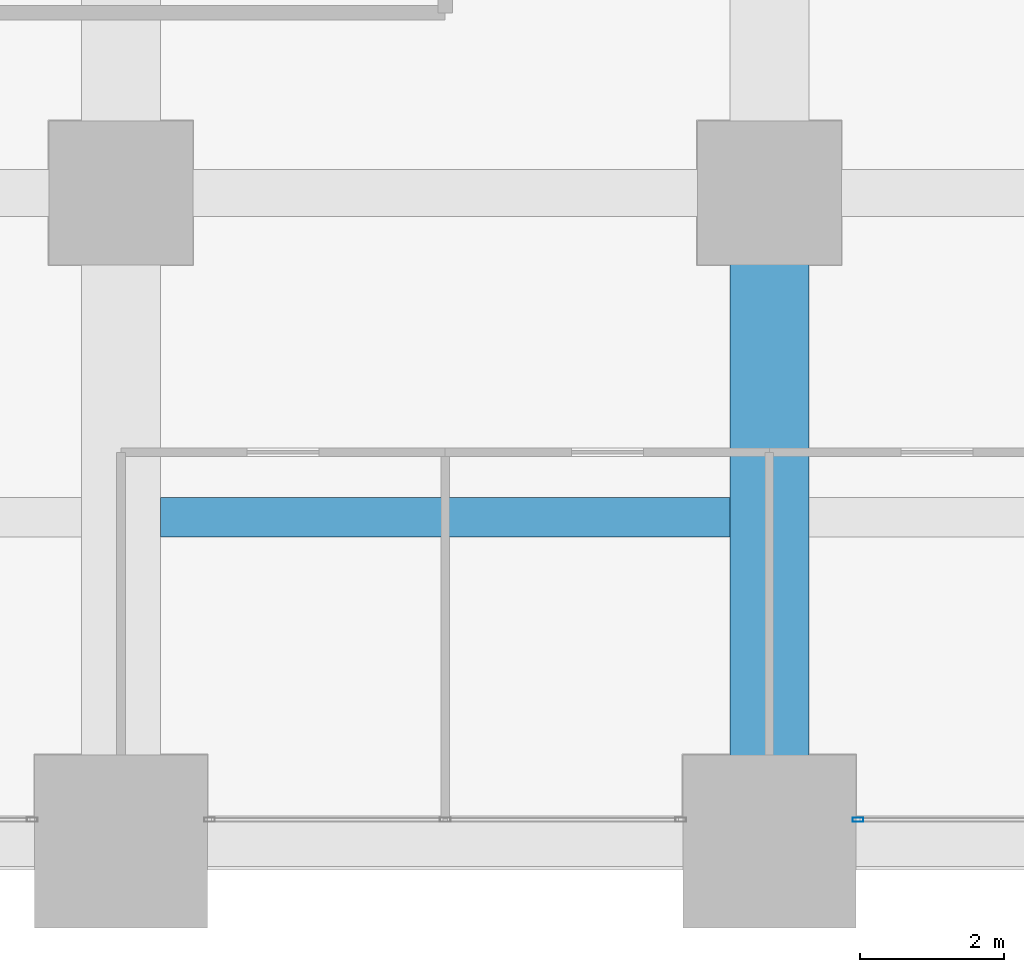
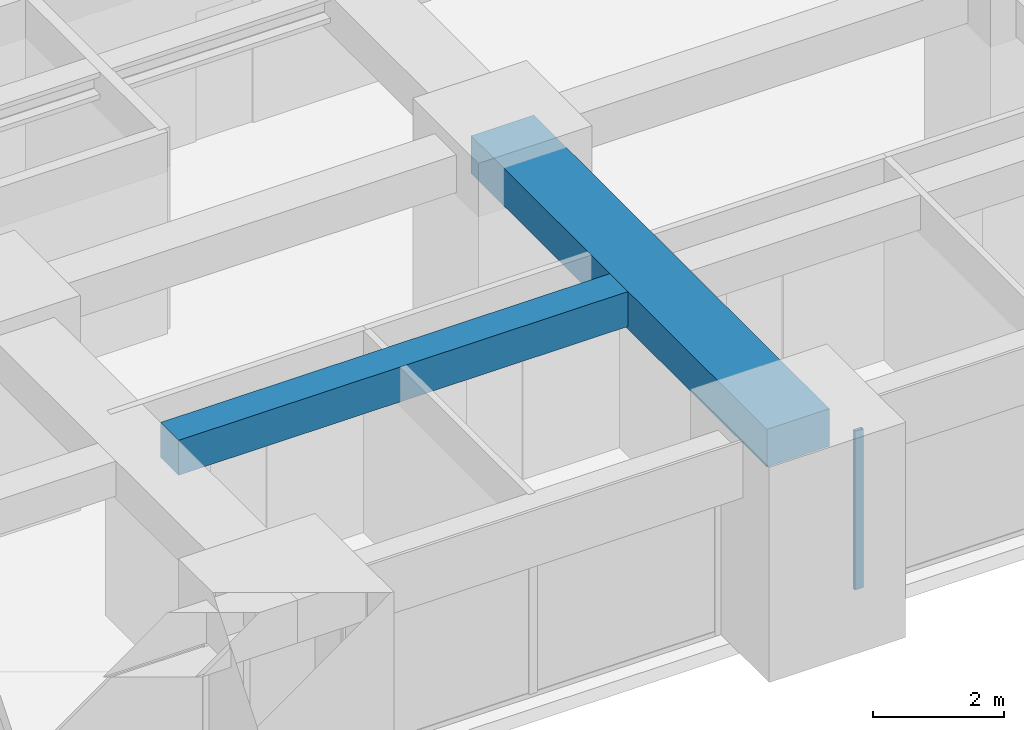
# One storey, part 14 of 41: 2 beams, 1 member, 1 element without a shape of its own.
"""IFC4 building model written with IfcOpenShell, lengths in metres."""

from ifc_helpers import new_model, si_unit, direction, frame, origin, origin_2d, place, context, subcontext, project, spatial, rectangle, hollow_rectangle, extrude, material, material_profile, profile_set, type_object, element, aggregate, save


model = new_model("IFC4")

# Units and contexts
model_context = context("Model", 3, precision=1e-05, world=origin(), true_north=direction((0.0, 1.0)))
body_context = subcontext(model_context, "Body", "Model", "MODEL_VIEW")
ifc_project = project(units=[si_unit("LENGTHUNIT", "METRE"), si_unit("AREAUNIT", "SQUARE_METRE"), si_unit("VOLUMEUNIT", "CUBIC_METRE"), si_unit("PLANEANGLEUNIT", "RADIAN"), si_unit("MASSUNIT", "GRAM", prefix="KILO")], contexts=[model_context])

# Site, building, storey
site_placement = place(None, origin())
site = spatial("IfcSite", under=ifc_project, at=site_placement, CompositionType="ELEMENT")
building_placement = place(site_placement, origin())
building = spatial("IfcBuilding", under=site, at=building_placement, Name="Zorevar Civic Tower", CompositionType="ELEMENT")
storey_placement = place(building_placement, frame((0.0, 0.0, 105.0)))
storey = spatial("IfcBuildingStorey", under=building, at=storey_placement, Name="L25", CompositionType="ELEMENT", Elevation=105.0)

# Beams
ifc_material_1 = material(Name="Concrete C50/60", Category="concrete")
ifc_material_profile_1 = material_profile(ifc_material_1, rectangle(XDim=1.10009765625, YDim=0.699951171875, at=origin_2d()), Name="RC 1100x700")
ifc_profile_set_1 = profile_set([ifc_material_profile_1], Name="Concrete C50/60")
beam_type_1 = type_object("IfcBeamType", Name="Beam RC 1100x700", PredefinedType="BEAM", material=ifc_profile_set_1)
beam_1_placement = place(storey_placement, frame((45.0, 0.0, 3.39990234375), z_axis=(0.0, 1.0, 0.0), x_axis=(-1.0, 0.0, 0.0)))
element("IfcBeam", 1, at=beam_1_placement, inside=storey, type_object=beam_type_1, Name="Girder L26", PredefinedType="BEAM", context=body_context, shape_type="SweptSolid", body=[
    extrude(rectangle(XDim=1.10009765625, YDim=0.699951171875, at=origin_2d()), origin(), (0.0, 0.0, 1.0), 9.0),
])
ifc_material_2 = material(Name="Concrete C50/60", Category="concrete")
ifc_material_profile_2 = material_profile(ifc_material_2, rectangle(XDim=0.550048828125, YDim=0.64990234375, at=origin_2d()), Name="RC 550x650")
ifc_profile_set_2 = profile_set([ifc_material_profile_2], Name="Concrete C50/60")
beam_type_2 = type_object("IfcBeamType", Name="Beam RC 550x650", PredefinedType="BEAM", material=ifc_profile_set_2)
beam_2_placement = place(storey_placement, frame((36.550048828125, 4.5, 3.425048828125), z_axis=(1.0, 0.0, 0.0), x_axis=(0.0, 1.0, 0.0)))
element("IfcBeam", 2, at=beam_2_placement, inside=storey, type_object=beam_type_2, Name="Secondary beam L26", PredefinedType="BEAM", context=body_context, shape_type="SweptSolid", body=[
    extrude(rectangle(XDim=0.550048828125, YDim=0.64990234375, at=origin_2d()), origin(), (0.0, 0.0, 1.0), 7.89990234375),
])

# Curtain wall, member
ifc_material_3 = material(Name="Dark grey solar-control glass in black aluminium frame", Category="aluminium")
curtain_wall_type = type_object("IfcCurtainWallType", Name="Curtain wall CW3 mid zone", PredefinedType="NOTDEFINED", material=ifc_material_3)
curtain_wall_placement = place(storey_placement, origin())
curtain_wall = element("IfcCurtainWall", 3, at=curtain_wall_placement, inside=storey, type_object=curtain_wall_type, Name="CW3 L25", PredefinedType="NOTDEFINED")
ifc_material_4 = material(Name="Aluminium, black anodised", Category="aluminium")
ifc_material_profile_3 = material_profile(ifc_material_4, hollow_rectangle(XDim=0.06005859375, YDim=0.14990234375, WallThickness=0.00390625, at=origin_2d()), Name="AL 150x60x4")
ifc_profile_set_3 = profile_set([ifc_material_profile_3], Name="Aluminium, black anodised")
member_type = type_object("IfcMemberType", Name="CW3 mullion AL 150x60x4", PredefinedType="MULLION", material=ifc_profile_set_3)
member_placement = place(storey_placement, frame((46.22998046875, 0.300048828125, 0.0), z_axis=(0.0, 0.0, 1.0), x_axis=(0.0, 1.0, 0.0)))
member = element("IfcMember", 4, at=member_placement, type_object=member_type, Name="CW3 mullion 1", PredefinedType="MULLION", context=body_context, shape_type="SweptSolid", body=[
    extrude(hollow_rectangle(XDim=0.06005859375, YDim=0.14990234375, WallThickness=0.00390625, at=origin_2d()), origin(), (0.0, 0.0, 1.0), 2.949951171875),
])
aggregate(curtain_wall, [member])

save(model, "model.ifc")
